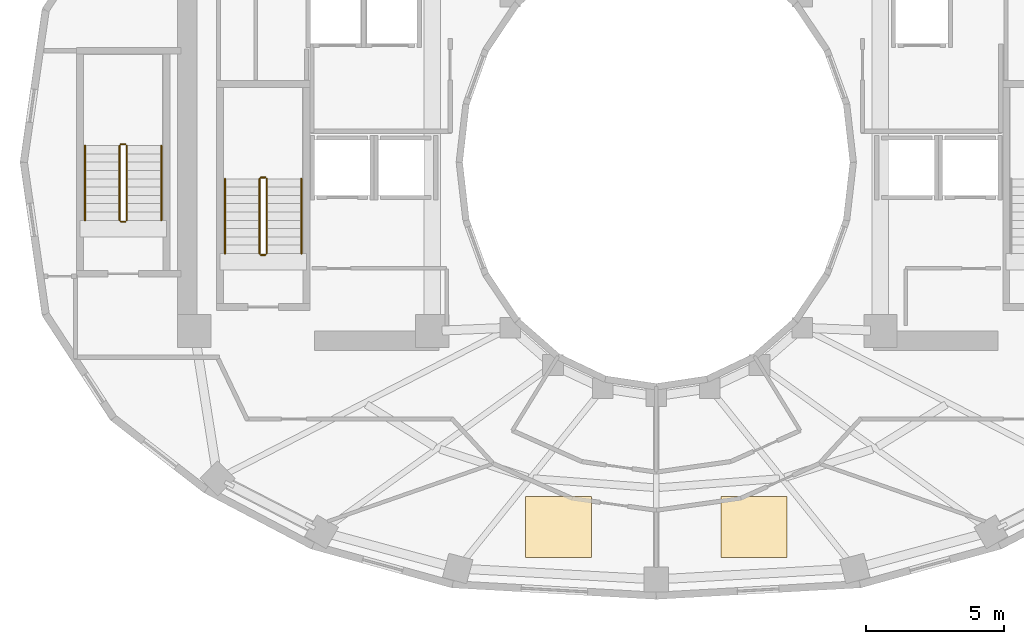
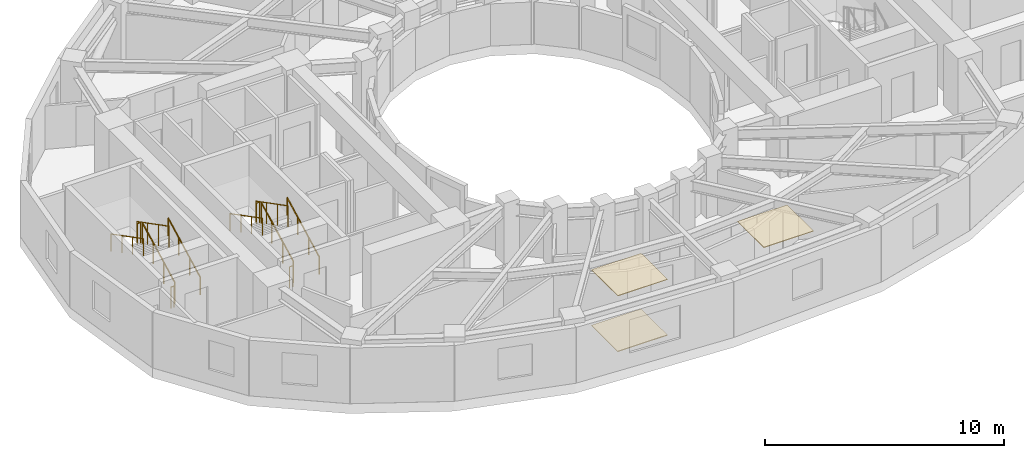
# One storey, part 11 of 13: 12 railings, 3 coverings.
"""IFC4 building model written with IfcOpenShell, lengths in metres."""

import ifcopenshell
import ifcopenshell.guid

model = None  # the IFC model being written
_history = None  # IfcOwnerHistory: only IFC2X3 demands one
_inside = {}  # id of a spatial element -> (the spatial element, [elements in it])
_under = {}  # id of a project, library or spatial element -> (it, [spatial elements below it])
_declared = {}  # id of a project -> (the project, [libraries it declares])
_typed = {}  # id of a type object -> (the type object, [elements of that type])
_made_of = {}  # id of a material, layer set ... -> (it, [elements and type objects made of it])


def new_model(schema):
    """Start an empty IFC model of exactly this schema.

    Asked for "IFC4X3", IfcOpenShell would pick the latest addendum, in which some entities
    have other attributes; the version numbers below select the first issue.
    IFC2X3 requires an IfcOwnerHistory on every rooted entity: one is made here for all.
    """
    global model, _history
    if schema == "IFC4X3":
        model = ifcopenshell.file(schema_version=(4, 3, 0, 0))
    else:
        model = ifcopenshell.file(schema=schema)
    _inside.clear()
    _under.clear()
    _declared.clear()
    _typed.clear()
    _made_of.clear()
    _history = None
    if model.schema == "IFC2X3":
        org = make("IfcOrganization", Name="unknown")
        user = make(
            "IfcPersonAndOrganization",
            ThePerson=make("IfcPerson", FamilyName="unknown"),
            TheOrganization=org,
        )
        app = make(
            "IfcApplication",
            ApplicationDeveloper=org,
            Version="unknown",
            ApplicationFullName="unknown",
            ApplicationIdentifier="unknown",
        )
        _history = make(
            "IfcOwnerHistory",
            OwningUser=user,
            OwningApplication=app,
            ChangeAction="ADDED",
            CreationDate=0,
        )
    return model


def make(cls, **values):
    """One entity of the class cls with the attributes given. An attribute that is None is left unset."""
    return model.create_entity(
        cls, **{name: value for name, value in values.items() if value is not None}
    )


def rooted(cls, **values):
    """An entity with a GlobalId (a new one), such as an element, a storey or a relation."""
    return make(cls, GlobalId=ifcopenshell.guid.new(), OwnerHistory=_history, **values)


def si_unit(unit_type, name, prefix=None):
    """IfcSIUnit, for example si_unit("LENGTHUNIT", "METRE", prefix="MILLI")."""
    return make("IfcSIUnit", UnitType=unit_type, Prefix=prefix, Name=name)


def assignment(units):
    """IfcUnitAssignment: the units of a project."""
    return None if units is None else make("IfcUnitAssignment", Units=units)


def point(xyz):
    """IfcCartesianPoint."""
    return None if xyz is None else make("IfcCartesianPoint", Coordinates=xyz)


def direction(xyz):
    """IfcDirection."""
    return None if xyz is None else make("IfcDirection", DirectionRatios=xyz)


def frame(location, z_axis=None, x_axis=None):
    """IfcAxis2Placement3D, a coordinate frame: its origin and axes. An axis left out is left unset."""
    return make(
        "IfcAxis2Placement3D",
        Location=point(location),
        Axis=direction(z_axis),
        RefDirection=direction(x_axis),
    )


def frame_2d(location, x_axis=None):
    """IfcAxis2Placement2D, a coordinate frame in the plane: its origin and x axis."""
    return make(
        "IfcAxis2Placement2D", Location=point(location), RefDirection=direction(x_axis)
    )


def origin():
    """The frame at (0, 0, 0) with its axes left unset."""
    return frame((0.0, 0.0, 0.0))


def origin_2d():
    """The frame at (0, 0) in the plane with its x axis left unset."""
    return frame_2d((0.0, 0.0))


def place(relative_to, where):
    """IfcLocalPlacement: puts the frame where relative to a parent placement (None: the world)."""
    return make(
        "IfcLocalPlacement", PlacementRelTo=relative_to, RelativePlacement=where
    )


def context(
    kind, dimensions, precision=None, world=None, true_north=None, identifier=None
):
    """IfcGeometricRepresentationContext, for example the 3D "Model" context."""
    return make(
        "IfcGeometricRepresentationContext",
        ContextIdentifier=identifier,
        ContextType=kind,
        CoordinateSpaceDimension=dimensions,
        Precision=precision,
        WorldCoordinateSystem=world,
        TrueNorth=true_north,
    )


def subcontext(parent, identifier, kind, view, scale=None):
    """IfcGeometricRepresentationSubContext, for example "Body" below "Model"."""
    return make(
        "IfcGeometricRepresentationSubContext",
        ContextIdentifier=identifier,
        ContextType=kind,
        ParentContext=parent,
        TargetScale=scale,
        TargetView=view,
    )


def project(units=None, contexts=None):
    """IfcProject with its units and contexts."""
    return rooted(
        "IfcProject",
        Name="project",
        RepresentationContexts=contexts,
        UnitsInContext=assignment(units),
    )


def spatial(cls, under=None, at=None, **own):
    """A site, building, storey or space (cls), placed at a placement, below another one or the project."""
    s = rooted(cls, ObjectPlacement=at, **own)
    if under is not None:
        _under.setdefault(under.id(), (under, []))[1].append(s)
    return s


def polyline(points):
    """IfcPolyline through the points."""
    return make("IfcPolyline", Points=[point(p) for p in points])


def profile(cls, at=None, kind="AREA", **sizes):
    """A parametric profile (cls). Its sizes go by their IFC names, for example OverallWidth=200.0."""
    return make(cls, ProfileType=kind, Position=at, **sizes)


def circle(**sizes):
    """IfcCircleProfileDef."""
    return profile("IfcCircleProfileDef", **sizes)


def outline(outer, holes=None, kind="AREA"):
    """IfcArbitraryClosedProfileDef: a profile drawn as a closed curve; with holes, ...WithVoids."""
    if holes is None:
        return make("IfcArbitraryClosedProfileDef", ProfileType=kind, OuterCurve=outer)
    return make(
        "IfcArbitraryProfileDefWithVoids",
        ProfileType=kind,
        OuterCurve=outer,
        InnerCurves=holes,
    )


def extrude(swept, where, along, depth):
    """IfcExtrudedAreaSolid: the profile swept, set in the frame where, extruded along a direction by depth."""
    return make(
        "IfcExtrudedAreaSolid",
        SweptArea=swept,
        Position=where,
        ExtrudedDirection=direction(along),
        Depth=depth,
    )


def shape(context_of_items, identifier, shape_type, items):
    """IfcShapeRepresentation: the items that make up one representation, for example the "Body"."""
    return make(
        "IfcShapeRepresentation",
        ContextOfItems=context_of_items,
        RepresentationIdentifier=identifier,
        RepresentationType=shape_type,
        Items=items,
    )


def material(Name=None, Category=None):
    """IfcMaterial."""
    return make("IfcMaterial", Name=Name, Category=Category)


def layer(
    of_material, thickness, ventilated=None, Name=None, Category=None, Priority=None
):
    """IfcMaterialLayer: one layer of a wall or slab, of a material (None: an air gap)."""
    return make(
        "IfcMaterialLayer",
        Material=of_material,
        LayerThickness=thickness,
        IsVentilated=ventilated,
        Name=Name,
        Category=Category,
        Priority=Priority,
    )


def layer_set(layers, Name=None):
    """IfcMaterialLayerSet."""
    return make("IfcMaterialLayerSet", MaterialLayers=layers, LayerSetName=Name)


def made_of(thing, what):
    """Note that an element or type object is made of a material, layer set ...; save() writes the relation."""
    if what is not None:
        _made_of.setdefault(what.id(), (what, []))[1].append(thing)
    return thing


def type_object(cls, material=None, **own):
    """A type object (cls), such as IfcWallType, which elements share."""
    return made_of(rooted(cls, **own), material)


def element(
    cls,
    number,
    at=None,
    inside=None,
    cuts=None,
    type_object=None,
    material=None,
    context=None,
    identifier="Body",
    shape_type=None,
    held_by="IfcProductDefinitionShape",
    body=None,
    shapes=None,
    **own,
):
    """One element of the class cls, such as IfcWall. Its Tag is "e" and its number.

    at: its placement. inside: the storey or other place that contains it. cuts: it is an
    opening in that element (IfcRelVoidsElement). A single representation is given by context,
    identifier, shape_type and body (its items); several are given by shapes. held_by: the class
    of the entity that holds the representations. save() writes the other relations.
    """
    e = rooted(cls, Tag="e%d" % number, ObjectPlacement=at, **own)
    if body is not None:
        shapes = [shape(context, identifier, shape_type, body)]
    if shapes is not None:
        e.Representation = make(held_by, Representations=shapes)
    if inside is not None:
        _inside.setdefault(inside.id(), (inside, []))[1].append(e)
    if cuts is not None:
        rooted(
            "IfcRelVoidsElement", RelatingBuildingElement=cuts, RelatedOpeningElement=e
        )
    if type_object is not None:
        _typed.setdefault(type_object.id(), (type_object, []))[1].append(e)
    return made_of(e, material)


def aggregate(whole, parts):
    """IfcRelAggregates: a whole, such as a stair, and the parts it consists of."""
    return rooted("IfcRelAggregates", RelatingObject=whole, RelatedObjects=parts)


def save(model, path):
    """Write the relations noted so far, then the file.

    IfcRelAggregates (storeys below a building ...), IfcRelContainedInSpatialStructure (elements
    in a storey), IfcRelDefinesByType, IfcRelAssociatesMaterial and IfcRelDeclares: one each for
    every whole, place, type object, material and project.
    """
    for whole, parts in _under.values():
        aggregate(whole, parts)
    for where, things in _inside.values():
        rooted(
            "IfcRelContainedInSpatialStructure",
            RelatedElements=things,
            RelatingStructure=where,
        )
    for kind, things in _typed.values():
        rooted("IfcRelDefinesByType", RelatedObjects=things, RelatingType=kind)
    for what, things in _made_of.values():
        rooted("IfcRelAssociatesMaterial", RelatedObjects=things, RelatingMaterial=what)
    for by, libraries in _declared.values():
        rooted("IfcRelDeclares", RelatingContext=by, RelatedDefinitions=libraries)
    model.write(path)


model = new_model("IFC4")

# Units and contexts
model_context = context("Model", 3, precision=1e-05, world=origin(), true_north=direction((0.0, 1.0)))
body_context = subcontext(model_context, "Body", "Model", "MODEL_VIEW")
ifc_project = project(units=[si_unit("LENGTHUNIT", "METRE"), si_unit("AREAUNIT", "SQUARE_METRE"), si_unit("VOLUMEUNIT", "CUBIC_METRE"), si_unit("PLANEANGLEUNIT", "RADIAN"), si_unit("MASSUNIT", "GRAM", prefix="KILO")], contexts=[model_context])

# Site, building, storey
site_placement = place(None, origin())
site = spatial("IfcSite", under=ifc_project, at=site_placement, CompositionType="ELEMENT")
building_placement = place(site_placement, origin())
building = spatial("IfcBuilding", under=site, at=building_placement, Name="Solvane Sanctuary Tower", CompositionType="ELEMENT")
storey_placement = place(building_placement, frame((0.0, 0.0, 152.89990234375)))
storey = spatial("IfcBuildingStorey", under=building, at=storey_placement, Name="L46", CompositionType="ELEMENT", Elevation=152.89990234375)

# Coverings
ifc_material_1 = material(Name="Acoustic Gypsum Partition Board")
ifc_layer_1 = layer(ifc_material_1, 0.02490234375, Name="Acoustic Gypsum Partition Board")
ifc_layer_set_1 = layer_set([ifc_layer_1], Name="Acoustic Gypsum Partition Board")
covering_type_1 = type_object("IfcCoveringType", Name="Covering CLG-ACOUST", PredefinedType="CEILING", material=ifc_layer_set_1)
covering_1_placement = place(storey_placement, frame((0.0, 0.0, 2.85009765625)))
element("IfcCovering", 1, at=covering_1_placement, inside=storey, type_object=covering_type_1, Name="L46 Unit Acoustic Ceiling Panel 4", PredefinedType="CEILING", context=body_context, shape_type="SweptSolid", body=[
    extrude(outline(polyline([(27.26708984375, 8.715087890625), (29.6669921875, 8.715087890625), (29.6669921875, 10.9150390625), (27.26708984375, 10.9150390625), (27.26708984375, 8.715087890625)])), origin(), (0.0, 0.0, 1.0), 0.030029296875),
])
covering_2_placement = place(storey_placement, frame((0.0, 0.0, 2.85009765625)))
element("IfcCovering", 2, at=covering_2_placement, inside=storey, type_object=covering_type_1, Name="L46 Unit Acoustic Ceiling Panel 5", PredefinedType="CEILING", context=body_context, shape_type="SweptSolid", body=[
    extrude(outline(polyline([(34.3330078125, 8.715087890625), (36.73291015625, 8.715087890625), (36.73291015625, 10.9150390625), (34.3330078125, 10.9150390625), (34.3330078125, 8.715087890625)])), origin(), (0.0, 0.0, 1.0), 0.030029296875),
])
ifc_material_2 = material(Name="Ceramic Tile Finish")
ifc_layer_2 = layer(ifc_material_2, 0.030029296875, Name="Ceramic Tile Finish")
ifc_layer_set_2 = layer_set([ifc_layer_2], Name="Ceramic Tile Finish")
covering_type_2 = type_object("IfcCoveringType", Name="Covering FLR-TERRAZZO", PredefinedType="FLOORING", material=ifc_layer_set_2)
covering_3_placement = place(storey_placement, origin())
element("IfcCovering", 3, at=covering_3_placement, inside=storey, type_object=covering_type_2, Name="L46 Unit Terrazzo Inlay 4", PredefinedType="FLOORING", context=body_context, shape_type="SweptSolid", body=[
    extrude(outline(polyline([(27.26708984375, 8.715087890625), (29.6669921875, 8.715087890625), (29.6669921875, 10.9150390625), (27.26708984375, 10.9150390625), (27.26708984375, 8.715087890625)])), origin(), (0.0, 0.0, 1.0), 0.03515625),
])

# Railings
ifc_material_3 = material(Name="Architectural Stainless Steel 316", Category="steel")
railing_type_1 = type_object("IfcRailingType", Name="Railing GR-BALC-1150", PredefinedType="BALUSTRADE", material=ifc_material_3)
railing_1_placement = place(storey_placement, frame((17.919921875, 19.699951171875, 0.155029296875)))
element("IfcRailing", 4, at=railing_1_placement, inside=storey, type_object=railing_type_1, Name="L46 ST-1 stair guard 1", PredefinedType="BALUSTRADE", context=body_context, shape_type="SweptSolid", body=[
    extrude(circle(Radius=0.02392578125, at=origin_2d()), frame((0.0, 0.0, 1.076171875), z_axis=(0.0, 0.888419900624, 0.459031676658), x_axis=(-1.0, 0.0, 0.0)), (0.0, 0.0, 1.0), 3.0390625),
    extrude(circle(Radius=0.02099609375, at=origin_2d()), origin(), (0.0, 0.0, 1.0), 1.052001953125),
    extrude(circle(Radius=0.02099609375, at=origin_2d()), frame((0.0, 0.89990234375, 0.465087890625)), (0.0, 0.0, 1.0), 1.052001953125),
    extrude(circle(Radius=0.02099609375, at=origin_2d()), frame((0.0, 1.800048828125, 0.929931640625)), (0.0, 0.0, 1.0), 1.052001953125),
    extrude(circle(Radius=0.02099609375, at=origin_2d()), frame((0.0, 2.699951171875, 1.39501953125)), (0.0, 0.0, 1.0), 1.052001953125),
])
railing_2_placement = place(storey_placement, frame((17.8701171875, 22.449951171875, 1.550048828125)))
element("IfcRailing", 5, at=railing_2_placement, inside=storey, type_object=railing_type_1, Name="L46 ST-1 stair guard 2", PredefinedType="BALUSTRADE", context=body_context, shape_type="SweptSolid", body=[
    extrude(circle(Radius=0.02392578125, at=origin_2d()), frame((0.0, 0.0, 1.076171875), z_axis=(-1.0, 0.0, 0.0), x_axis=(0.0, -1.0, 0.0)), (0.0, 0.0, 1.0), 0.16015625),
    extrude(circle(Radius=0.02099609375, at=origin_2d()), origin(), (0.0, 0.0, 1.0), 1.052001953125),
    extrude(circle(Radius=0.02099609375, at=origin_2d()), frame((-0.16015625, 0.0, 0.0)), (0.0, 0.0, 1.0), 1.052001953125),
])
railing_3_placement = place(storey_placement, frame((17.659912109375, 22.39990234375, 1.705078125)))
element("IfcRailing", 6, at=railing_3_placement, inside=storey, type_object=railing_type_1, Name="L46 ST-1 stair guard 3", PredefinedType="BALUSTRADE", context=body_context, shape_type="SweptSolid", body=[
    extrude(circle(Radius=0.02392578125, at=origin_2d()), frame((0.0, 0.0, 1.076171875), z_axis=(0.0, -0.888419900624, 0.459031676658), x_axis=(1.0, 0.0, 0.0)), (0.0, 0.0, 1.0), 3.0390625),
    extrude(circle(Radius=0.02099609375, at=origin_2d()), origin(), (0.0, 0.0, 1.0), 1.052001953125),
    extrude(circle(Radius=0.02099609375, at=origin_2d()), frame((0.0, -0.89990234375, 0.465087890625)), (0.0, 0.0, 1.0), 1.052001953125),
    extrude(circle(Radius=0.02099609375, at=origin_2d()), frame((0.0, -1.800048828125, 0.929931640625)), (0.0, 0.0, 1.0), 1.052001953125),
    extrude(circle(Radius=0.02099609375, at=origin_2d()), frame((0.0, -2.699951171875, 1.39501953125)), (0.0, 0.0, 1.0), 1.052001953125),
])
railing_4_placement = place(storey_placement, frame((17.8701171875, 19.64990234375, 0.0)))
element("IfcRailing", 7, at=railing_4_placement, inside=storey, type_object=railing_type_1, Name="L46 ST-1 stair guard 4", PredefinedType="BALUSTRADE", context=body_context, shape_type="SweptSolid", body=[
    extrude(circle(Radius=0.02392578125, at=origin_2d()), frame((0.0, 0.0, 1.076171875), z_axis=(-1.0, 0.0, 0.0), x_axis=(0.0, -1.0, 0.0)), (0.0, 0.0, 1.0), 0.16015625),
    extrude(circle(Radius=0.02099609375, at=origin_2d()), origin(), (0.0, 0.0, 1.0), 1.052001953125),
    extrude(circle(Radius=0.02099609375, at=origin_2d()), frame((-0.16015625, 0.0, 0.0)), (0.0, 0.0, 1.0), 1.052001953125),
])
railing_5_placement = place(storey_placement, frame((12.860107421875, 20.89990234375, 0.155029296875)))
element("IfcRailing", 8, at=railing_5_placement, inside=storey, type_object=railing_type_1, Name="L46 ST-3 stair guard 1", PredefinedType="BALUSTRADE", context=body_context, shape_type="SweptSolid", body=[
    extrude(circle(Radius=0.02392578125, at=origin_2d()), frame((0.0, 0.0, 1.076171875), z_axis=(0.0, 0.888436826113, 0.458998917216), x_axis=(-1.0, 0.0, 0.0)), (0.0, 0.0, 1.0), 3.039306640625),
    extrude(circle(Radius=0.02099609375, at=origin_2d()), origin(), (0.0, 0.0, 1.0), 1.052001953125),
    extrude(circle(Radius=0.02099609375, at=origin_2d()), frame((0.0, 0.900146484375, 0.465087890625)), (0.0, 0.0, 1.0), 1.052001953125),
    extrude(circle(Radius=0.02099609375, at=origin_2d()), frame((0.0, 1.800048828125, 0.929931640625)), (0.0, 0.0, 1.0), 1.052001953125),
    extrude(circle(Radius=0.02099609375, at=origin_2d()), frame((0.0, 2.7001953125, 1.39501953125)), (0.0, 0.0, 1.0), 1.052001953125),
])
railing_6_placement = place(storey_placement, frame((12.81005859375, 23.64990234375, 1.550048828125)))
element("IfcRailing", 9, at=railing_6_placement, inside=storey, type_object=railing_type_1, Name="L46 ST-3 stair guard 2", PredefinedType="BALUSTRADE", context=body_context, shape_type="SweptSolid", body=[
    extrude(circle(Radius=0.02392578125, at=origin_2d()), frame((0.0, 0.0, 1.076171875), z_axis=(-1.0, 0.0, 0.0), x_axis=(0.0, -1.0, 0.0)), (0.0, 0.0, 1.0), 0.16015625),
    extrude(circle(Radius=0.02099609375, at=origin_2d()), origin(), (0.0, 0.0, 1.0), 1.052001953125),
    extrude(circle(Radius=0.02099609375, at=origin_2d()), frame((-0.16015625, 0.0, 0.0)), (0.0, 0.0, 1.0), 1.052001953125),
])
railing_7_placement = place(storey_placement, frame((12.60009765625, 23.60009765625, 1.705078125)))
element("IfcRailing", 10, at=railing_7_placement, inside=storey, type_object=railing_type_1, Name="L46 ST-3 stair guard 3", PredefinedType="BALUSTRADE", context=body_context, shape_type="SweptSolid", body=[
    extrude(circle(Radius=0.02392578125, at=origin_2d()), frame((0.0, 0.0, 1.076171875), z_axis=(0.0, -0.888436826113, 0.458998917216), x_axis=(1.0, 0.0, 0.0)), (0.0, 0.0, 1.0), 3.039306640625),
    extrude(circle(Radius=0.02099609375, at=origin_2d()), origin(), (0.0, 0.0, 1.0), 1.052001953125),
    extrude(circle(Radius=0.02099609375, at=origin_2d()), frame((0.0, -0.900146484375, 0.465087890625)), (0.0, 0.0, 1.0), 1.052001953125),
    extrude(circle(Radius=0.02099609375, at=origin_2d()), frame((0.0, -1.800048828125, 0.929931640625)), (0.0, 0.0, 1.0), 1.052001953125),
    extrude(circle(Radius=0.02099609375, at=origin_2d()), frame((0.0, -2.7001953125, 1.39501953125)), (0.0, 0.0, 1.0), 1.052001953125),
])
railing_8_placement = place(storey_placement, frame((12.81005859375, 20.85009765625, 0.0)))
element("IfcRailing", 11, at=railing_8_placement, inside=storey, type_object=railing_type_1, Name="L46 ST-3 stair guard 4", PredefinedType="BALUSTRADE", context=body_context, shape_type="SweptSolid", body=[
    extrude(circle(Radius=0.02392578125, at=origin_2d()), frame((0.0, 0.0, 1.076171875), z_axis=(-1.0, 0.0, 0.0), x_axis=(0.0, -1.0, 0.0)), (0.0, 0.0, 1.0), 0.16015625),
    extrude(circle(Radius=0.02099609375, at=origin_2d()), origin(), (0.0, 0.0, 1.0), 1.052001953125),
    extrude(circle(Radius=0.02099609375, at=origin_2d()), frame((-0.16015625, 0.0, 0.0)), (0.0, 0.0, 1.0), 1.052001953125),
])
railing_type_2 = type_object("IfcRailingType", Name="Railing HR-STAIR-920", PredefinedType="HANDRAIL", material=ifc_material_3)
railing_9_placement = place(storey_placement, frame((19.169921875, 19.699951171875, 0.155029296875)))
element("IfcRailing", 12, at=railing_9_placement, inside=storey, type_object=railing_type_2, Name="L46 ST-1 stair handrail 1", PredefinedType="HANDRAIL", context=body_context, shape_type="SweptSolid", body=[
    extrude(circle(Radius=0.02392578125, at=origin_2d()), frame((0.0, 0.0, 0.8759765625), z_axis=(0.0, 0.888419900624, 0.459031676658), x_axis=(-1.0, 0.0, 0.0)), (0.0, 0.0, 1.0), 3.0390625),
    extrude(circle(Radius=0.02099609375, at=origin_2d()), origin(), (0.0, 0.0, 1.0), 0.851806640625),
    extrude(circle(Radius=0.02099609375, at=origin_2d()), frame((0.0, 0.89990234375, 0.465087890625)), (0.0, 0.0, 1.0), 0.851806640625),
    extrude(circle(Radius=0.02099609375, at=origin_2d()), frame((0.0, 1.800048828125, 0.929931640625)), (0.0, 0.0, 1.0), 0.851806640625),
    extrude(circle(Radius=0.02099609375, at=origin_2d()), frame((0.0, 2.699951171875, 1.39501953125)), (0.0, 0.0, 1.0), 0.851806640625),
])
railing_10_placement = place(storey_placement, frame((16.409912109375, 22.39990234375, 1.705078125)))
element("IfcRailing", 13, at=railing_10_placement, inside=storey, type_object=railing_type_2, Name="L46 ST-1 stair handrail 2", PredefinedType="HANDRAIL", context=body_context, shape_type="SweptSolid", body=[
    extrude(circle(Radius=0.02392578125, at=origin_2d()), frame((0.0, 0.0, 0.8759765625), z_axis=(0.0, -0.888419900624, 0.459031676658), x_axis=(1.0, 0.0, 0.0)), (0.0, 0.0, 1.0), 3.0390625),
    extrude(circle(Radius=0.02099609375, at=origin_2d()), origin(), (0.0, 0.0, 1.0), 0.851806640625),
    extrude(circle(Radius=0.02099609375, at=origin_2d()), frame((0.0, -0.89990234375, 0.465087890625)), (0.0, 0.0, 1.0), 0.851806640625),
    extrude(circle(Radius=0.02099609375, at=origin_2d()), frame((0.0, -1.800048828125, 0.929931640625)), (0.0, 0.0, 1.0), 0.851806640625),
    extrude(circle(Radius=0.02099609375, at=origin_2d()), frame((0.0, -2.699951171875, 1.39501953125)), (0.0, 0.0, 1.0), 0.851806640625),
])
railing_11_placement = place(storey_placement, frame((14.110107421875, 20.89990234375, 0.155029296875)))
element("IfcRailing", 14, at=railing_11_placement, inside=storey, type_object=railing_type_2, Name="L46 ST-3 stair handrail 1", PredefinedType="HANDRAIL", context=body_context, shape_type="SweptSolid", body=[
    extrude(circle(Radius=0.02392578125, at=origin_2d()), frame((0.0, 0.0, 0.8759765625), z_axis=(0.0, 0.888436826113, 0.458998917216), x_axis=(-1.0, 0.0, 0.0)), (0.0, 0.0, 1.0), 3.039306640625),
    extrude(circle(Radius=0.02099609375, at=origin_2d()), origin(), (0.0, 0.0, 1.0), 0.851806640625),
    extrude(circle(Radius=0.02099609375, at=origin_2d()), frame((0.0, 0.900146484375, 0.465087890625)), (0.0, 0.0, 1.0), 0.851806640625),
    extrude(circle(Radius=0.02099609375, at=origin_2d()), frame((0.0, 1.800048828125, 0.929931640625)), (0.0, 0.0, 1.0), 0.851806640625),
    extrude(circle(Radius=0.02099609375, at=origin_2d()), frame((0.0, 2.7001953125, 1.39501953125)), (0.0, 0.0, 1.0), 0.851806640625),
])
railing_12_placement = place(storey_placement, frame((11.35009765625, 23.60009765625, 1.705078125)))
element("IfcRailing", 15, at=railing_12_placement, inside=storey, type_object=railing_type_2, Name="L46 ST-3 stair handrail 2", PredefinedType="HANDRAIL", context=body_context, shape_type="SweptSolid", body=[
    extrude(circle(Radius=0.02392578125, at=origin_2d()), frame((0.0, 0.0, 0.8759765625), z_axis=(0.0, -0.888436826113, 0.458998917216), x_axis=(1.0, 0.0, 0.0)), (0.0, 0.0, 1.0), 3.039306640625),
    extrude(circle(Radius=0.02099609375, at=origin_2d()), origin(), (0.0, 0.0, 1.0), 0.851806640625),
    extrude(circle(Radius=0.02099609375, at=origin_2d()), frame((0.0, -0.900146484375, 0.465087890625)), (0.0, 0.0, 1.0), 0.851806640625),
    extrude(circle(Radius=0.02099609375, at=origin_2d()), frame((0.0, -1.800048828125, 0.929931640625)), (0.0, 0.0, 1.0), 0.851806640625),
    extrude(circle(Radius=0.02099609375, at=origin_2d()), frame((0.0, -2.7001953125, 1.39501953125)), (0.0, 0.0, 1.0), 0.851806640625),
])

save(model, "model.ifc")
